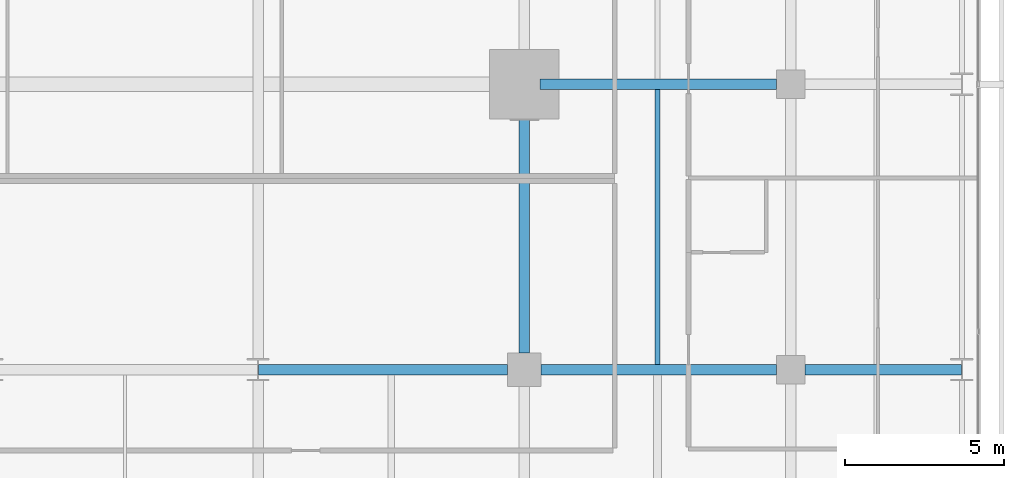
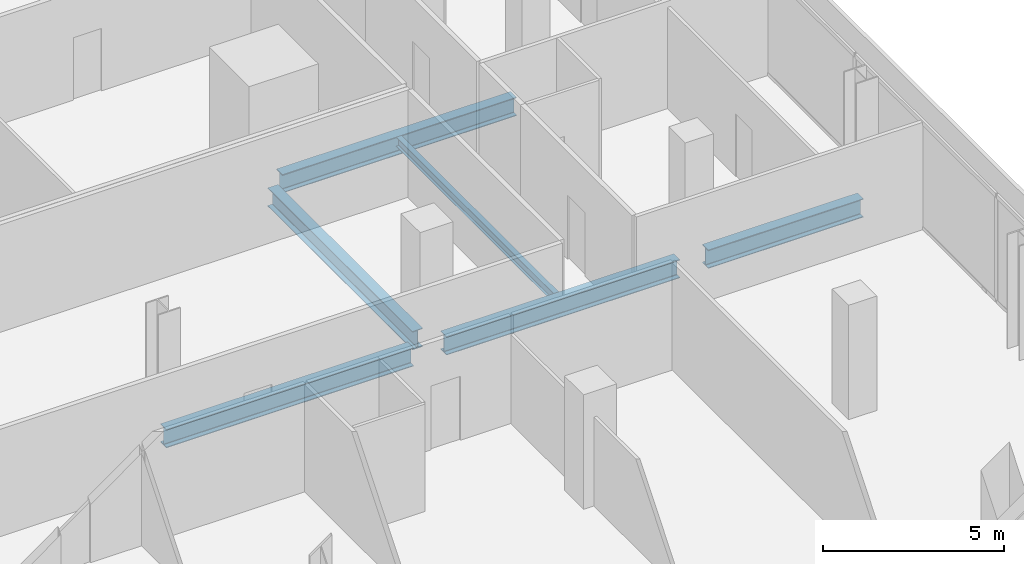
# One storey, part 18 of 39: 6 beams.
"""IFC4 building model written with IfcOpenShell, lengths in metres."""

from ifc_helpers import new_model, si_unit, direction, frame, origin, origin_2d, place, context, subcontext, project, spatial, i_section, extrude, material, material_profile, profile_set, type_object, element, save


model = new_model("IFC4")

# Units and contexts
model_context = context("Model", 3, precision=1e-05, world=origin(), true_north=direction((0.0, 1.0)))
body_context = subcontext(model_context, "Body", "Model", "MODEL_VIEW")
ifc_project = project(units=[si_unit("LENGTHUNIT", "METRE"), si_unit("AREAUNIT", "SQUARE_METRE"), si_unit("VOLUMEUNIT", "CUBIC_METRE"), si_unit("PLANEANGLEUNIT", "RADIAN"), si_unit("MASSUNIT", "GRAM", prefix="KILO")], contexts=[model_context])

# Site, building, storey
site_placement = place(None, origin())
site = spatial("IfcSite", under=ifc_project, at=site_placement, CompositionType="ELEMENT")
building_placement = place(site_placement, origin())
building = spatial("IfcBuilding", under=site, at=building_placement, Name="Maruvema Waterfront Hotel and Observation Tower", CompositionType="ELEMENT")
storey_placement = place(building_placement, frame((0.0, 0.0, 69.300048828125)))
storey = spatial("IfcBuildingStorey", under=building, at=storey_placement, Name="L16", CompositionType="ELEMENT", Elevation=69.300048828125)

# Beams
ifc_material_1 = material(Name="Steel ASTM A572 Grade 50", Category="steel")
ifc_material_profile_1 = material_profile(ifc_material_1, i_section(OverallWidth=0.326904296875, OverallDepth=0.6220703125, WebThickness=0.015380859375, FlangeThickness=0.0244140625, FilletRadius=0.01806640625, at=origin_2d()), Name="W610x195.0")
ifc_profile_set_1 = profile_set([ifc_material_profile_1], Name="Steel ASTM A572 Grade 50")
beam_type_1 = type_object("IfcBeamType", Name="Primary Floor Girder W610x195.0", PredefinedType="BEAM", material=ifc_profile_set_1)
beam_1_placement = place(storey_placement, frame((42.013916015625, 18.0, -0.551025390625), z_axis=(1.0, 0.0, 0.0), x_axis=(0.0, 1.0, 0.0)))
element("IfcBeam", 1, at=beam_1_placement, inside=storey, type_object=beam_type_1, Name="L16 Floor Girder EW-17", PredefinedType="BEAM", context=body_context, shape_type="SweptSolid", body=[
    extrude(i_section(OverallWidth=0.326904296875, OverallDepth=0.6220703125, WebThickness=0.015380859375, FlangeThickness=0.0244140625, FilletRadius=0.01806640625, at=origin_2d()), origin(), (0.0, 0.0, 1.0), 7.861083984375),
])
beam_2_placement = place(storey_placement, frame((50.925048828125, 18.0, -0.551025390625), z_axis=(1.0, 0.0, 0.0), x_axis=(0.0, 1.0, 0.0)))
element("IfcBeam", 2, at=beam_2_placement, inside=storey, type_object=beam_type_1, Name="L16 Floor Girder EW-18", PredefinedType="BEAM", context=body_context, shape_type="SweptSolid", body=[
    extrude(i_section(OverallWidth=0.326904296875, OverallDepth=0.6220703125, WebThickness=0.015380859375, FlangeThickness=0.0244140625, FilletRadius=0.01806640625, at=origin_2d()), origin(), (0.0, 0.0, 1.0), 7.425048828125),
])
beam_3_placement = place(storey_placement, frame((59.25, 18.0, -0.551025390625), z_axis=(1.0, 0.0, 0.0), x_axis=(0.0, 1.0, 0.0)))
element("IfcBeam", 3, at=beam_3_placement, inside=storey, type_object=beam_type_1, Name="L16 Floor Girder EW-19", PredefinedType="BEAM", context=body_context, shape_type="SweptSolid", body=[
    extrude(i_section(OverallWidth=0.326904296875, OverallDepth=0.6220703125, WebThickness=0.015380859375, FlangeThickness=0.0244140625, FilletRadius=0.01806640625, at=origin_2d()), origin(), (0.0, 0.0, 1.0), 4.93603515625),
])
beam_4_placement = place(storey_placement, frame((50.89990234375, 27.0, -0.551025390625), z_axis=(1.0, 0.0, 0.0), x_axis=(0.0, 1.0, 0.0)))
element("IfcBeam", 4, at=beam_4_placement, inside=storey, type_object=beam_type_1, Name="L16 Floor Girder EW-23", PredefinedType="BEAM", context=body_context, shape_type="SweptSolid", body=[
    extrude(i_section(OverallWidth=0.326904296875, OverallDepth=0.6220703125, WebThickness=0.015380859375, FlangeThickness=0.0244140625, FilletRadius=0.01806640625, at=origin_2d()), origin(), (0.0, 0.0, 1.0), 7.4501953125),
])
beam_5_placement = place(storey_placement, frame((50.39990234375, 18.52490234375, -0.551025390625), z_axis=(0.0, 1.0, 0.0), x_axis=(-1.0, 0.0, 0.0)))
element("IfcBeam", 5, at=beam_5_placement, inside=storey, type_object=beam_type_1, Name="L16 Floor Girder NS-24", PredefinedType="BEAM", context=body_context, shape_type="SweptSolid", body=[
    extrude(i_section(OverallWidth=0.326904296875, OverallDepth=0.6220703125, WebThickness=0.015380859375, FlangeThickness=0.0244140625, FilletRadius=0.01806640625, at=origin_2d()), origin(), (0.0, 0.0, 1.0), 7.97509765625),
])
ifc_material_2 = material(Name="Steel ASTM A572 Grade 50", Category="steel")
ifc_material_profile_2 = material_profile(ifc_material_2, i_section(OverallWidth=0.1669921875, OverallDepth=0.31689453125, WebThickness=0.007568359375, FlangeThickness=0.01318359375, FilletRadius=0.012939453125, at=origin_2d()), Name="W310x52.0")
ifc_profile_set_2 = profile_set([ifc_material_profile_2], Name="Steel ASTM A572 Grade 50")
beam_type_2 = type_object("IfcBeamType", Name="Secondary Floor Joist W310x52.0", PredefinedType="JOIST", material=ifc_profile_set_2)
beam_6_placement = place(storey_placement, frame((54.60009765625, 18.16357421875, -0.3984375), z_axis=(0.0, 1.0, 0.0), x_axis=(-1.0, 0.0, 0.0)))
element("IfcBeam", 6, at=beam_6_placement, inside=storey, type_object=beam_type_2, Name="L16 Secondary Floor Joist JS-18", PredefinedType="JOIST", context=body_context, shape_type="SweptSolid", body=[
    extrude(i_section(OverallWidth=0.1669921875, OverallDepth=0.31689453125, WebThickness=0.007568359375, FlangeThickness=0.01318359375, FilletRadius=0.012939453125, at=origin_2d()), origin(), (0.0, 0.0, 1.0), 8.6728515625),
])

save(model, "model.ifc")
